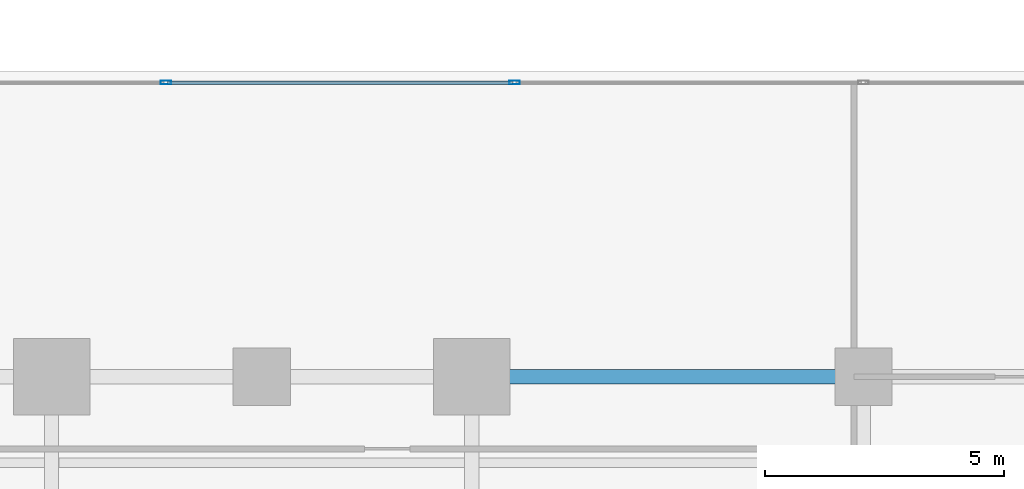
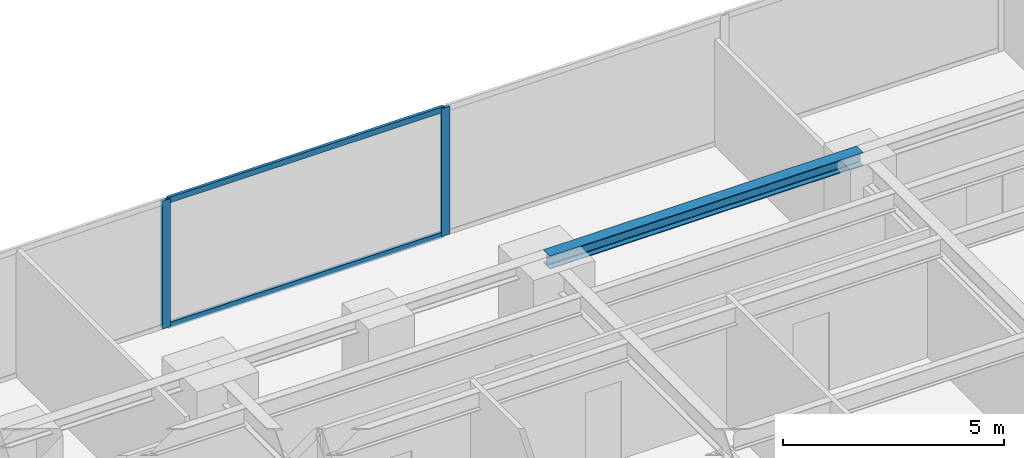
# One storey, part 13 of 27: 4 members, 1 beam, 1 element without a shape of its own.
"""IFC4 building model written with IfcOpenShell, lengths in metres."""

from ifc_helpers import new_model, si_unit, direction, frame, origin, origin_with_axes, origin_2d, place, context, subcontext, project, spatial, hollow_rectangle, i_section, extrude, source, transform, mapped, material, layer, layer_set, material_profile, profile_set, type_object, element, aggregate, save


model = new_model("IFC4")

# Units and contexts
model_context = context("Model", 3, precision=1e-05, world=origin(), true_north=direction((0.0, 1.0)))
body_context = subcontext(model_context, "Body", "Model", "MODEL_VIEW")
ifc_project = project(units=[si_unit("LENGTHUNIT", "METRE"), si_unit("AREAUNIT", "SQUARE_METRE"), si_unit("VOLUMEUNIT", "CUBIC_METRE"), si_unit("PLANEANGLEUNIT", "RADIAN"), si_unit("MASSUNIT", "GRAM", prefix="KILO")], contexts=[model_context])

# Site, building, storey
site_placement = place(None, origin())
site = spatial("IfcSite", under=ifc_project, at=site_placement, CompositionType="ELEMENT")
building_placement = place(site_placement, origin())
building = spatial("IfcBuilding", under=site, at=building_placement, Name="Kolvaren Waterfront Exchange", CompositionType="ELEMENT")
storey_placement = place(building_placement, frame((0.0, 0.0, 60.0)))
storey = spatial("IfcBuildingStorey", under=building, at=storey_placement, Name="L15", CompositionType="ELEMENT", Elevation=60.0)

# Beam
ifc_material_1 = material(Name="Steel S355", Category="steel")
ifc_material_profile_1 = material_profile(ifc_material_1, i_section(OverallWidth=0.300048828125, OverallDepth=0.360107421875, WebThickness=0.012451171875, FlangeThickness=0.0224609375, FilletRadius=0.027099609375, at=origin_2d()), Name="HEB360")
ifc_profile_set_1 = profile_set([ifc_material_profile_1], Name="Steel S355")
beam_type = type_object("IfcBeamType", Name="STR-BM-HEB360", PredefinedType="SPANDREL", material=ifc_profile_set_1)
beam_placement = place(storey_placement, frame((45.60009765625, 17.39990234375, 3.360107421875), z_axis=(1.0, 0.0, 0.0), x_axis=(0.0, 1.0, 0.0)))
element("IfcBeam", 1, at=beam_placement, inside=storey, type_object=beam_type, Name="L15 east-arm spandrel N4", PredefinedType="SPANDREL", context=body_context, shape_type="SweptSolid", body=[
    extrude(i_section(OverallWidth=0.300048828125, OverallDepth=0.360107421875, WebThickness=0.012451171875, FlangeThickness=0.0224609375, FilletRadius=0.027099609375, at=origin_2d()), origin(), (0.0, 0.0, 1.0), 8.199951171875),
])

# Curtain wall, members
ifc_material_2 = material(Name="Anodised bronze aluminium 6063-T6", Category="aluminium")
ifc_layer = layer(ifc_material_2, 0.219970703125, Name="Anodised bronze aluminium 6063-T6")
ifc_layer_set = layer_set([ifc_layer], Name="Anodised bronze aluminium 6063-T6")
curtain_wall_type = type_object("IfcCurtainWallType", Name="ARC-CW-SYS1", PredefinedType="USERDEFINED", material=ifc_layer_set)
curtain_wall_placement = place(storey_placement, origin())
curtain_wall = element("IfcCurtainWall", 2, at=curtain_wall_placement, inside=storey, type_object=curtain_wall_type, Name="L15 stick curtain wall CW1 (CW-L15-EN)", ObjectType="STICK CURTAIN WALL", PredefinedType="USERDEFINED")
ifc_material_3 = material(Name="Anodised aluminium 6063-T6", Category="aluminium")
ifc_material_profile_2 = material_profile(ifc_material_3, hollow_rectangle(XDim=0.074951171875, YDim=0.159912109375, WallThickness=0.00439453125, at=origin_2d()), Name="ALU-TRN-160x75x4.5")
ifc_profile_set_2 = profile_set([ifc_material_profile_2], Name="Anodised aluminium 6063-T6")
member_type_1 = type_object("IfcMemberType", Name="ARC-CWT-160", PredefinedType="USERDEFINED", material=ifc_profile_set_2)
shared_shape_1 = source(origin_with_axes(), body_context, "Body", "SweptSolid", [
    extrude(hollow_rectangle(XDim=0.074951171875, YDim=0.159912109375, WallThickness=0.00439453125, at=origin_2d()), origin(), (0.0, 0.0, 1.0), 7.22265625),
])
member_1_placement = place(storey_placement, frame((39.232421875, 23.56005859375, 0.03759765625), z_axis=(1.0, 0.0, 0.0), x_axis=(0.0, 1.0, 0.0)))
member_1 = element("IfcMember", 3, at=member_1_placement, type_object=member_type_1, Name="CW1 transom 2.1", ObjectType="TRANSOM", PredefinedType="USERDEFINED", context=body_context, shape_type="MappedRepresentation", body=[
    mapped(shared_shape_1, transform((0.0, 0.0, 0.0), x_axis=(1.0, 0.0, 0.0), y_axis=(0.0, 1.0, 0.0), z_axis=(0.0, 0.0, 1.0), scale=1.0)),
])
member_2_placement = place(storey_placement, frame((39.232421875, 23.56005859375, 3.50244140625), z_axis=(1.0, 0.0, 0.0), x_axis=(0.0, 1.0, 0.0)))
member_2 = element("IfcMember", 4, at=member_2_placement, type_object=member_type_1, Name="CW1 transom 2.2", ObjectType="TRANSOM", PredefinedType="USERDEFINED", context=body_context, shape_type="MappedRepresentation", body=[
    mapped(shared_shape_1, transform((0.0, 0.0, 0.0), x_axis=(1.0, 0.0, 0.0), y_axis=(0.0, 1.0, 0.0), z_axis=(0.0, 0.0, 1.0), scale=1.0)),
])
ifc_material_profile_3 = material_profile(ifc_material_3, hollow_rectangle(XDim=0.080078125, YDim=0.219970703125, WallThickness=0.0048828125, at=origin_2d()), Name="ALU-MUL-220x80x5")
ifc_profile_set_3 = profile_set([ifc_material_profile_3], Name="Anodised aluminium 6063-T6")
member_type_2 = type_object("IfcMemberType", Name="ARC-CWM-220", PredefinedType="MULLION", material=ifc_profile_set_3)
shared_shape_2 = source(origin_with_axes(), body_context, "Body", "SweptSolid", [
    extrude(hollow_rectangle(XDim=0.080078125, YDim=0.219970703125, WallThickness=0.0048828125, at=origin_2d()), origin(), (0.0, 0.0, 1.0), 3.5400390625),
])
member_3_placement = place(storey_placement, frame((39.1923828125, 23.56005859375, 0.0), z_axis=(0.0, 0.0, 1.0), x_axis=(0.0, 1.0, 0.0)))
member_3 = element("IfcMember", 5, at=member_3_placement, type_object=member_type_2, Name="CW1 mullion 2", PredefinedType="MULLION", context=body_context, shape_type="MappedRepresentation", body=[
    mapped(shared_shape_2, transform((0.0, 0.0, 0.0), x_axis=(1.0, 0.0, 0.0), y_axis=(0.0, 1.0, 0.0), z_axis=(0.0, 0.0, 1.0), scale=1.0)),
])
member_4_placement = place(storey_placement, frame((46.4951171875, 23.56005859375, 0.0), z_axis=(0.0, 0.0, 1.0), x_axis=(0.0, 1.0, 0.0)))
member_4 = element("IfcMember", 6, at=member_4_placement, type_object=member_type_2, Name="CW1 mullion 3", PredefinedType="MULLION", context=body_context, shape_type="MappedRepresentation", body=[
    mapped(shared_shape_2, transform((0.0, 0.0, 0.0), x_axis=(1.0, 0.0, 0.0), y_axis=(0.0, 1.0, 0.0), z_axis=(0.0, 0.0, 1.0), scale=1.0)),
])
aggregate(curtain_wall, [member_3, member_4, member_1, member_2])

save(model, "model.ifc")
